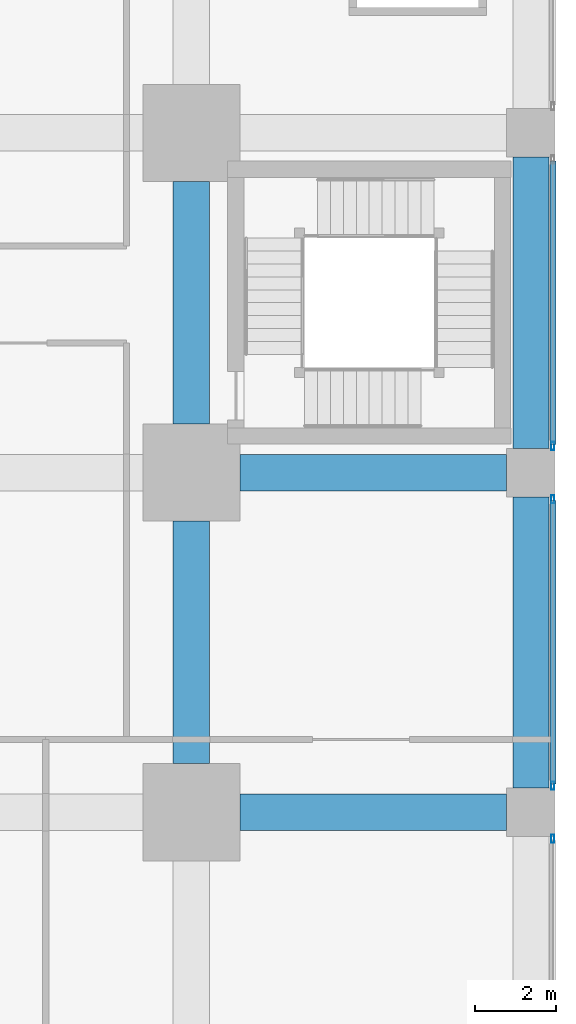
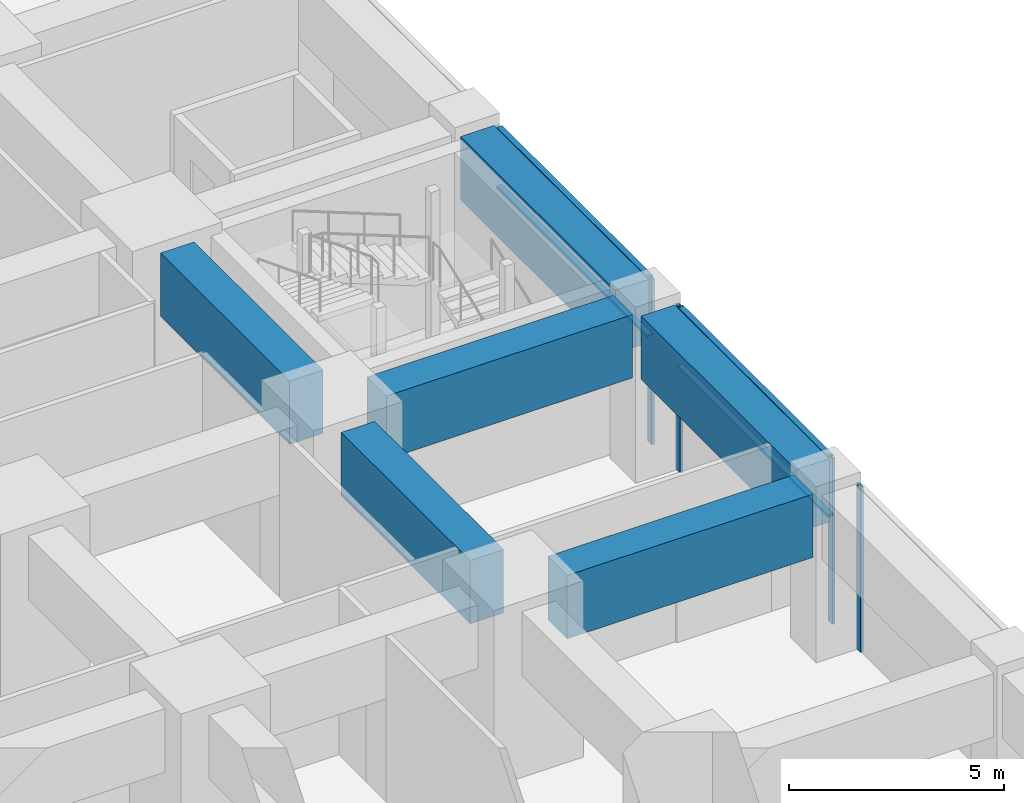
# One storey, part 31 of 49: 8 members, 6 beams, 3 elements without a shape of their own.
"""IFC4 building model written with IfcOpenShell, lengths in metres."""

from ifc_helpers import new_model, si_unit, direction, frame, origin, origin_2d, place, context, subcontext, project, spatial, rectangle, hollow_rectangle, extrude, material, material_profile, profile_set, type_object, element, aggregate, save


model = new_model("IFC4")

# Units and contexts
model_context = context("Model", 3, precision=1e-05, world=origin(), true_north=direction((0.0, 1.0)))
body_context = subcontext(model_context, "Body", "Model", "MODEL_VIEW")
ifc_project = project(units=[si_unit("LENGTHUNIT", "METRE"), si_unit("AREAUNIT", "SQUARE_METRE"), si_unit("VOLUMEUNIT", "CUBIC_METRE"), si_unit("PLANEANGLEUNIT", "RADIAN"), si_unit("MASSUNIT", "GRAM", prefix="KILO")], contexts=[model_context])

# Site, building, storey
site_placement = place(None, origin())
site = spatial("IfcSite", under=ifc_project, at=site_placement, CompositionType="ELEMENT")
building_placement = place(site_placement, origin())
building = spatial("IfcBuilding", under=site, at=building_placement, Name="Rekha Terrace Tower", CompositionType="ELEMENT")
storey_placement = place(building_placement, frame((0.0, 0.0, 10.39990234375)))
storey = spatial("IfcBuildingStorey", under=building, at=storey_placement, Name="L02", CompositionType="ELEMENT", Elevation=10.39990234375)

# Curtain wall, member
ifc_material_1 = material(Name="Aluminium framing", Category="aluminium")
curtain_wall_type = type_object("IfcCurtainWallType", Name="CW4 podium shopfront glazing", PredefinedType="USERDEFINED", material=ifc_material_1)
curtain_wall_1_placement = place(storey_placement, origin())
curtain_wall_1 = element("IfcCurtainWall", 1, at=curtain_wall_1_placement, inside=storey, type_object=curtain_wall_type, Name="CW4 shopfront curtain wall", ObjectType="SHOPFRONT CURTAIN WALL", PredefinedType="USERDEFINED")
ifc_material_2 = material(Name="Aluminium mullion section", Category="aluminium")
ifc_material_profile_1 = material_profile(ifc_material_2, hollow_rectangle(XDim=0.074951171875, YDim=0.199951171875, WallThickness=0.00390625, at=origin_2d()), Name="AL RHS 75x200")
ifc_profile_set_1 = profile_set([ifc_material_profile_1], Name="Aluminium mullion section")
member_type_1 = type_object("IfcMemberType", Name="CW4 mullion RHS 75 x 200", PredefinedType="MULLION", material=ifc_profile_set_1)
member_1_placement = place(storey_placement, frame((76.139892578125, 16.142578125, 0.0), z_axis=(0.0, 0.0, 1.0), x_axis=(-1.0, 0.0, 0.0)))
member_1 = element("IfcMember", 2, at=member_1_placement, type_object=member_type_1, Name="CW4 mullion 2", PredefinedType="MULLION", context=body_context, shape_type="SweptSolid", body=[
    extrude(hollow_rectangle(XDim=0.074951171875, YDim=0.199951171875, WallThickness=0.00390625, at=origin_2d()), origin(), (0.0, 0.0, 1.0), 4.7001953125),
])
aggregate(curtain_wall_1, [member_1])

# Curtain wall, members
curtain_wall_2_placement = place(storey_placement, origin())
curtain_wall_2 = element("IfcCurtainWall", 3, at=curtain_wall_2_placement, inside=storey, type_object=curtain_wall_type, Name="CW4 shopfront curtain wall", ObjectType="SHOPFRONT CURTAIN WALL", PredefinedType="USERDEFINED")
member_2_placement = place(storey_placement, frame((76.139892578125, 17.45751953125, 0.0), z_axis=(0.0, 0.0, 1.0), x_axis=(-1.0, 0.0, 0.0)))
member_2 = element("IfcMember", 4, at=member_2_placement, type_object=member_type_1, Name="CW4 mullion 1", PredefinedType="MULLION", context=body_context, shape_type="SweptSolid", body=[
    extrude(hollow_rectangle(XDim=0.074951171875, YDim=0.199951171875, WallThickness=0.00390625, at=origin_2d()), origin(), (0.0, 0.0, 1.0), 4.7001953125),
])
member_3_placement = place(storey_placement, frame((76.139892578125, 24.54248046875, 0.0), z_axis=(0.0, 0.0, 1.0), x_axis=(-1.0, 0.0, 0.0)))
member_3 = element("IfcMember", 5, at=member_3_placement, type_object=member_type_1, Name="CW4 mullion 2", PredefinedType="MULLION", context=body_context, shape_type="SweptSolid", body=[
    extrude(hollow_rectangle(XDim=0.074951171875, YDim=0.199951171875, WallThickness=0.00390625, at=origin_2d()), origin(), (0.0, 0.0, 1.0), 4.7001953125),
])

# Curtain wall, member
curtain_wall_3_placement = place(storey_placement, origin())
curtain_wall_3 = element("IfcCurtainWall", 6, at=curtain_wall_3_placement, inside=storey, type_object=curtain_wall_type, Name="CW4 shopfront curtain wall", ObjectType="SHOPFRONT CURTAIN WALL", PredefinedType="USERDEFINED")
member_4_placement = place(storey_placement, frame((76.139892578125, 25.857421875, 0.0), z_axis=(0.0, 0.0, 1.0), x_axis=(-1.0, 0.0, 0.0)))
member_4 = element("IfcMember", 7, at=member_4_placement, type_object=member_type_1, Name="CW4 mullion 1", PredefinedType="MULLION", context=body_context, shape_type="SweptSolid", body=[
    extrude(hollow_rectangle(XDim=0.074951171875, YDim=0.199951171875, WallThickness=0.00390625, at=origin_2d()), origin(), (0.0, 0.0, 1.0), 4.7001953125),
])

# Member
ifc_material_3 = material(Name="Aluminium transom section", Category="aluminium")
ifc_material_profile_2 = material_profile(ifc_material_3, hollow_rectangle(XDim=0.14990234375, YDim=0.074951171875, WallThickness=0.0029296875, at=origin_2d()), Name="AL RHS 150x75")
ifc_profile_set_2 = profile_set([ifc_material_profile_2], Name="Aluminium transom section")
member_type_2 = type_object("IfcMemberType", Name="CW4 transom RHS 75 x 150", PredefinedType="USERDEFINED", material=ifc_profile_set_2)
member_5_placement = place(storey_placement, frame((76.139892578125, 17.4951171875, 3.0), z_axis=(0.0, 1.0, 0.0), x_axis=(-1.0, 0.0, 0.0)))
member_5 = element("IfcMember", 8, at=member_5_placement, type_object=member_type_2, Name="CW4 transom 1.2", ObjectType="TRANSOM", PredefinedType="USERDEFINED", context=body_context, shape_type="SweptSolid", body=[
    extrude(hollow_rectangle(XDim=0.14990234375, YDim=0.074951171875, WallThickness=0.0029296875, at=origin_2d()), origin(), (0.0, 0.0, 1.0), 7.009765625),
])

member_6_placement = place(storey_placement, frame((76.139892578125, 17.4951171875, 4.66259765625), z_axis=(0.0, 1.0, 0.0), x_axis=(-1.0, 0.0, 0.0)))
member_6 = element("IfcMember", 9, at=member_6_placement, type_object=member_type_2, Name="CW4 transom 1.3", ObjectType="TRANSOM", PredefinedType="USERDEFINED", context=body_context, shape_type="SweptSolid", body=[
    extrude(hollow_rectangle(XDim=0.14990234375, YDim=0.074951171875, WallThickness=0.0029296875, at=origin_2d()), origin(), (0.0, 0.0, 1.0), 7.009765625),
])

aggregate(curtain_wall_2, [member_2, member_3, member_5, member_6])

member_7_placement = place(storey_placement, frame((76.139892578125, 25.89501953125, 3.0), z_axis=(0.0, 1.0, 0.0), x_axis=(-1.0, 0.0, 0.0)))
member_7 = element("IfcMember", 10, at=member_7_placement, type_object=member_type_2, Name="CW4 transom 1.2", ObjectType="TRANSOM", PredefinedType="USERDEFINED", context=body_context, shape_type="SweptSolid", body=[
    extrude(hollow_rectangle(XDim=0.14990234375, YDim=0.074951171875, WallThickness=0.0029296875, at=origin_2d()), origin(), (0.0, 0.0, 1.0), 7.010009765625),
])

member_8_placement = place(storey_placement, frame((76.139892578125, 25.89501953125, 4.66259765625), z_axis=(0.0, 1.0, 0.0), x_axis=(-1.0, 0.0, 0.0)))
member_8 = element("IfcMember", 11, at=member_8_placement, type_object=member_type_2, Name="CW4 transom 1.3", ObjectType="TRANSOM", PredefinedType="USERDEFINED", context=body_context, shape_type="SweptSolid", body=[
    extrude(hollow_rectangle(XDim=0.14990234375, YDim=0.074951171875, WallThickness=0.0029296875, at=origin_2d()), origin(), (0.0, 0.0, 1.0), 7.010009765625),
])

aggregate(curtain_wall_3, [member_4, member_7, member_8])

# Beams
ifc_material_4 = material(Name="Concrete M60", Category="concrete")
ifc_material_profile_3 = material_profile(ifc_material_4, rectangle(XDim=0.89990234375, YDim=1.800048828125, at=origin_2d()), Name="RC 900x1800")
ifc_profile_set_3 = profile_set([ifc_material_profile_3], Name="Concrete M60")
beam_type = type_object("IfcBeamType", Name="G1 900x1800 podium floor beam", PredefinedType="BEAM", material=ifc_profile_set_3)
beam_1_placement = place(storey_placement, frame((68.39990234375, 16.800048828125, 3.800048828125), z_axis=(1.0, 0.0, 0.0), x_axis=(0.0, 1.0, 0.0)))
element("IfcBeam", 12, at=beam_1_placement, inside=storey, type_object=beam_type, Name="Beam G1 9C-10C under L03", PredefinedType="BEAM", context=body_context, shape_type="SweptSolid", body=[
    extrude(rectangle(XDim=0.89990234375, YDim=1.800048828125, at=origin_2d()), origin(), (0.0, 0.0, 1.0), 6.60009765625),
])
beam_2_placement = place(storey_placement, frame((67.199951171875, 18.0, 3.800048828125), z_axis=(0.0, 1.0, 0.0), x_axis=(-1.0, 0.0, 0.0)))
element("IfcBeam", 13, at=beam_2_placement, inside=storey, type_object=beam_type, Name="Beam G1 9C-9D under L03", PredefinedType="BEAM", context=body_context, shape_type="SweptSolid", body=[
    extrude(rectangle(XDim=0.89990234375, YDim=1.800048828125, at=origin_2d()), origin(), (0.0, 0.0, 1.0), 6.0),
])
beam_3_placement = place(storey_placement, frame((68.39990234375, 25.199951171875, 3.800048828125), z_axis=(1.0, 0.0, 0.0), x_axis=(0.0, 1.0, 0.0)))
element("IfcBeam", 14, at=beam_3_placement, inside=storey, type_object=beam_type, Name="Beam G1 9D-10D under L03", PredefinedType="BEAM", context=body_context, shape_type="SweptSolid", body=[
    extrude(rectangle(XDim=0.89990234375, YDim=1.800048828125, at=origin_2d()), origin(), (0.0, 0.0, 1.0), 6.60009765625),
])
beam_4_placement = place(storey_placement, frame((67.199951171875, 26.39990234375, 3.800048828125), z_axis=(0.0, 1.0, 0.0), x_axis=(-1.0, 0.0, 0.0)))
element("IfcBeam", 15, at=beam_4_placement, inside=storey, type_object=beam_type, Name="Beam G1 9D-9E under L03", PredefinedType="BEAM", context=body_context, shape_type="SweptSolid", body=[
    extrude(rectangle(XDim=0.89990234375, YDim=1.800048828125, at=origin_2d()), origin(), (0.0, 0.0, 1.0), 6.0),
])
beam_5_placement = place(storey_placement, frame((75.60009765625, 17.39990234375, 3.800048828125), z_axis=(0.0, 1.0, 0.0), x_axis=(-1.0, 0.0, 0.0)))
element("IfcBeam", 16, at=beam_5_placement, inside=storey, type_object=beam_type, Name="Beam G1 10C-10D under L03", PredefinedType="BEAM", context=body_context, shape_type="SweptSolid", body=[
    extrude(rectangle(XDim=0.89990234375, YDim=1.800048828125, at=origin_2d()), origin(), (0.0, 0.0, 1.0), 7.2001953125),
])
beam_6_placement = place(storey_placement, frame((75.60009765625, 25.800048828125, 3.800048828125), z_axis=(0.0, 1.0, 0.0), x_axis=(-1.0, 0.0, 0.0)))
element("IfcBeam", 17, at=beam_6_placement, inside=storey, type_object=beam_type, Name="Beam G1 10D-10E under L03", PredefinedType="BEAM", context=body_context, shape_type="SweptSolid", body=[
    extrude(rectangle(XDim=0.89990234375, YDim=1.800048828125, at=origin_2d()), origin(), (0.0, 0.0, 1.0), 7.199951171875),
])

save(model, "model.ifc")
